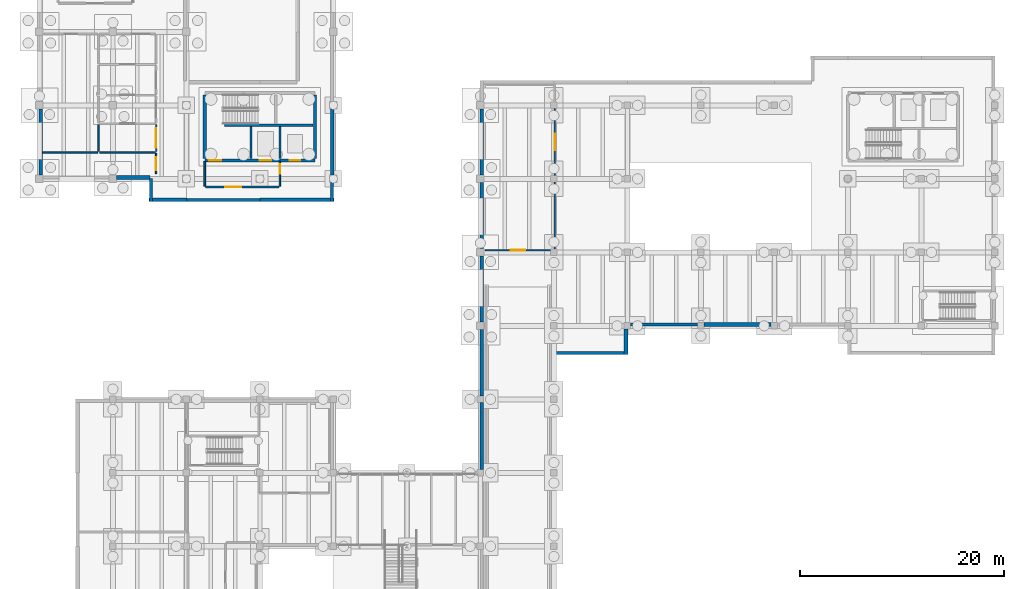
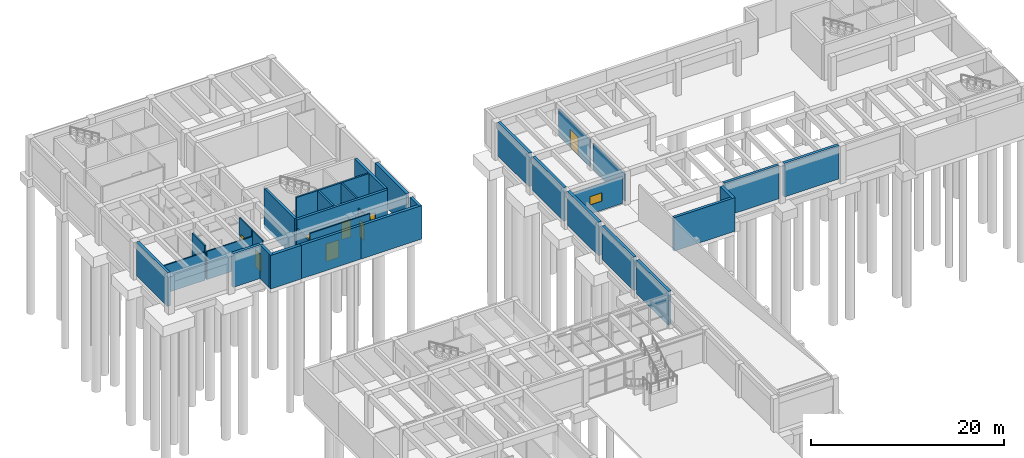
# One storey, part 18 of 28: 34 walls, 8 doors, 1 window, 9 openings.
"""IFC4 building model written with IfcOpenShell, lengths in metres."""

from ifc_helpers import new_model, si_unit, direction, frame, frame_2d, origin, place, context, subcontext, project, spatial, rectangle, extrude, material, layer, layer_set, type_object, element, fill, save


model = new_model("IFC4")

# Units and contexts
model_context = context("Model", 3, precision=1e-05, world=origin(), true_north=direction((0.0, 1.0)))
body_context = subcontext(model_context, "Body", "Model", "MODEL_VIEW")
ifc_project = project(units=[si_unit("LENGTHUNIT", "METRE"), si_unit("AREAUNIT", "SQUARE_METRE"), si_unit("VOLUMEUNIT", "CUBIC_METRE"), si_unit("PLANEANGLEUNIT", "RADIAN"), si_unit("MASSUNIT", "GRAM", prefix="KILO")], contexts=[model_context])

# Site, building, storey
site_placement = place(None, origin())
site = spatial("IfcSite", under=ifc_project, at=site_placement, CompositionType="ELEMENT")
building_placement = place(site_placement, origin())
building = spatial("IfcBuilding", under=site, at=building_placement, Name="Bramvelor Terrace Health Centre", CompositionType="ELEMENT")
storey_placement = place(building_placement, frame((0.0, 0.0, -4.5)))
storey = spatial("IfcBuildingStorey", under=building, at=storey_placement, Name="B1", CompositionType="ELEMENT", Elevation=-4.5)

# Wall, opening, window
ifc_material_1 = material(Name="Acoustic clinical partition board", Category="gypsum")
ifc_layer_1 = layer(ifc_material_1, 0.110107421875)
ifc_layer_set_1 = layer_set([ifc_layer_1], Name="Acoustic clinical partition board")
wall_type_1 = type_object("IfcWallType", Name="WL-CLN-110", PredefinedType="PARTITIONING", material=ifc_layer_set_1)
wall_1_placement = place(storey_placement, frame((50.06005859375, 79.39990234375, 0.0), z_axis=(0.0, 0.0, 1.0), x_axis=(-1.0, 0.0, 0.0)))
wall_1 = element("IfcWall", 1, at=wall_1_placement, inside=storey, type_object=wall_type_1, Name="B1 Interior Partition 45", PredefinedType="PARTITIONING", context=body_context, shape_type="SweptSolid", body=[
    extrude(rectangle(XDim=6.3701171875, YDim=0.110107421875, at=frame_2d((3.18505859375, 0.0))), origin(), (0.0, 0.0, 1.0), 3.39990234375),
])
opening_1_placement = place(wall_1_placement, frame((2.485107421875, 0.0, 1.14990234375)))
opening_1 = element("IfcOpeningElement", 2, at=opening_1_placement, cuts=wall_1, Name="Opening IWN-1", PredefinedType="OPENING", context=body_context, shape_type="SweptSolid", body=[
    extrude(rectangle(XDim=1.39990234375, YDim=1.050048828125, at=frame_2d((0.699951171875, 0.52490234375))), frame((0.0, 0.06494140625, 0.0), z_axis=(0.0, -1.0, 0.0), x_axis=(1.0, 0.0, 0.0)), (0.0, 0.0, 1.0), 0.130126953125),
])
ifc_material_2 = material(Name="Acoustic laminated observation glass", Category="glass")
window_type = type_object("IfcWindowType", Name="WIN-INT-OBS140", PartitioningType="SINGLE_PANEL", PredefinedType="WINDOW", material=ifc_material_2)
window_placement = place(opening_1_placement, origin())
window = element("IfcWindow", 3, at=window_placement, inside=storey, type_object=window_type, Name="B1 Clinical Observation Window 4", OverallHeight=1.050048828125, OverallWidth=1.39990234375, PartitioningType="SINGLE_PANEL", PredefinedType="WINDOW", context=body_context, shape_type="SweptSolid", body=[
    extrude(rectangle(XDim=1.39990234375, YDim=1.050048828125, at=frame_2d((0.699951171875, 0.52490234375))), frame((0.0, 0.030029296875, 0.0), z_axis=(0.0, -1.0, 0.0), x_axis=(1.0, 0.0, 0.0)), (0.0, 0.0, 1.0), 0.06005859375),
])
fill(opening_1, window)

# Wall, opening, door
ifc_material_3 = material(Name="Fire-rated gypsum and mineral wool", Category="gypsum")
ifc_layer_2 = layer(ifc_material_3, 0.139892578125)
ifc_layer_set_2 = layer_set([ifc_layer_2], Name="Fire-rated gypsum and mineral wool")
wall_type_2 = type_object("IfcWallType", Name="WL-COR-140", PredefinedType="PARTITIONING", material=ifc_layer_set_2)
wall_2_placement = place(storey_placement, frame((50.489990234375, 93.260009765625, 0.0), z_axis=(0.0, 0.0, 1.0), x_axis=(0.0, -1.0, 0.0)))
wall_2 = element("IfcWall", 4, at=wall_2_placement, inside=storey, type_object=wall_type_2, Name="B1 Interior Partition 43", PredefinedType="PARTITIONING", context=body_context, shape_type="SweptSolid", body=[
    extrude(rectangle(XDim=6.52001953125, YDim=0.139892578125, at=frame_2d((3.260009765625, 0.0))), origin(), (0.0, 0.0, 1.0), 3.39990234375),
])
opening_2_placement = place(wall_2_placement, frame((2.43994140625, 0.0, 0.0)))
opening_2 = element("IfcOpeningElement", 5, at=opening_2_placement, cuts=wall_2, Name="Opening FD-09", PredefinedType="OPENING", context=body_context, shape_type="SweptSolid", body=[
    extrude(rectangle(XDim=1.639892578125, YDim=2.239990234375, at=frame_2d((0.81982421875, 1.1201171875))), frame((0.0, 0.079833984375, 0.0), z_axis=(0.0, -1.0, 0.0), x_axis=(1.0, 0.0, 0.0)), (0.0, 0.0, 1.0), 0.159912109375),
])
ifc_material_4 = material(Name="Fire-rated steel and vision panel", Category="steel")
door_type_1 = type_object("IfcDoorType", Name="DR-FD60-164", OperationType="DOUBLE_DOOR_SINGLE_SWING", PredefinedType="DOOR", material=ifc_material_4)
door_1_placement = place(opening_2_placement, origin())
door_1 = element("IfcDoor", 6, at=door_1_placement, inside=storey, type_object=door_type_1, Name="B1 Ambulance Decontamination Bay Fire Door", OperationType="DOUBLE_DOOR_SINGLE_SWING", OverallHeight=2.239990234375, OverallWidth=1.639892578125, PredefinedType="DOOR", context=body_context, shape_type="SweptSolid", body=[
    extrude(rectangle(XDim=1.639892578125, YDim=2.239990234375, at=frame_2d((0.81982421875, 1.1201171875))), frame((0.0, 0.02490234375, 0.0), z_axis=(0.0, -1.0, 0.0), x_axis=(1.0, 0.0, 0.0)), (0.0, 0.0, 1.0), 0.050048828125),
])
fill(opening_2, door_1)

# Walls
wall_3_placement = place(storey_placement, frame((50.489990234375, 86.06005859375, 0.0), z_axis=(0.0, 0.0, 1.0), x_axis=(0.0, -1.0, 0.0)))
element("IfcWall", 7, at=wall_3_placement, inside=storey, type_object=wall_type_2, Name="B1 Interior Partition 44", PredefinedType="PARTITIONING", context=body_context, shape_type="SweptSolid", body=[
    extrude(rectangle(XDim=6.52001953125, YDim=0.139892578125, at=frame_2d((3.260009765625, 0.0))), origin(), (0.0, 0.0, 1.0), 3.39990234375),
])
ifc_material_5 = material(Name="Concrete C40/50", Category="concrete")
ifc_layer_3 = layer(ifc_material_5, 0.199951171875)
ifc_layer_set_3 = layer_set([ifc_layer_3], Name="Concrete C40/50")
wall_type_3 = type_object("IfcWallType", Name="WL-CORE-200", PredefinedType="SHEAR", material=ifc_layer_set_3)
wall_4_placement = place(storey_placement, frame((18.14990234375, 91.64990234375, -0.5), z_axis=(0.0, 0.0, 1.0), x_axis=(1.0, 0.0, 0.0)))
element("IfcWall", 8, at=wall_4_placement, inside=storey, type_object=wall_type_3, Name="C2 B1 Core Shear Wall", PredefinedType="SHEAR", context=body_context, shape_type="SweptSolid", body=[
    extrude(rectangle(XDim=8.670166015625, YDim=0.199951171875, at=frame_2d((4.3349609375, 0.0))), origin(), (0.0, 0.0, 1.0), 5.0),
])
for number, where, z_axis, x_axis, name in (
    (9, (20.75, 88.3798828125, -0.5), (0.0, 0.0, 1.0), (0.0, 1.0, 0.0), "C2 B1 Core Shear Wall"),
    (10, (23.550048828125, 88.3798828125, -0.5), (0.0, 0.0, 1.0), (0.0, 1.0, 0.0), "C2 B1 Lift Divider Wall"),
):
    element("IfcWall", number, at=place(storey_placement, frame(where, z_axis=z_axis, x_axis=x_axis)), inside=storey, type_object=wall_type_3, Name=name, PredefinedType="SHEAR", context=body_context, shape_type="SweptSolid", body=[
        extrude(rectangle(XDim=3.150146484375, YDim=0.199951171875, at=frame_2d((1.5751953125, 0.0))), origin(), (0.0, 0.0, 1.0), 5.0),
    ])

# Wall, openings, doors
ifc_material_6 = material(Name="Concrete C40/50", Category="concrete")
ifc_layer_4 = layer(ifc_material_6, 0.300048828125)
ifc_layer_set_4 = layer_set([ifc_layer_4], Name="Concrete C40/50")
wall_type_4 = type_object("IfcWallType", Name="WL-CORE-300", PredefinedType="SHEAR", material=ifc_layer_set_4)
wall_5_placement = place(storey_placement, frame((16.199951171875, 88.199951171875, -0.5), z_axis=(0.0, 0.0, 1.0), x_axis=(1.0, 0.0, 0.0)))
wall_5 = element("IfcWall", 11, at=wall_5_placement, inside=storey, type_object=wall_type_4, Name="C2 B1 Core Shear Wall", PredefinedType="SHEAR", context=body_context, shape_type="SweptSolid", body=[
    extrude(rectangle(XDim=10.800048828125, YDim=0.300048828125, at=frame_2d((5.39990234375, 0.0))), origin(), (0.0, 0.0, 1.0), 5.0),
])
opening_3_placement = place(wall_5_placement, frame((0.449951171875, 0.0, 0.5)))
opening_3 = element("IfcOpeningElement", 12, at=opening_3_placement, cuts=wall_5, Name="Opening FD-02", PredefinedType="OPENING", context=body_context, shape_type="SweptSolid", body=[
    extrude(rectangle(XDim=1.179931640625, YDim=2.159912109375, at=frame_2d((0.58984375, 1.080078125))), frame((0.0, 0.159912109375, 0.0), z_axis=(0.0, -1.0, 0.0), x_axis=(1.0, 0.0, 0.0)), (0.0, 0.0, 1.0), 0.320068359375),
])
opening_4_placement = place(wall_5_placement, frame((5.375, 0.0, 0.5)))
opening_4 = element("IfcOpeningElement", 13, at=opening_4_placement, cuts=wall_5, Name="Opening LD-1", PredefinedType="OPENING", context=body_context, shape_type="SweptSolid", body=[
    extrude(rectangle(XDim=1.14990234375, YDim=2.14990234375, at=frame_2d((0.574951171875, 1.074951171875))), frame((0.0, 0.159912109375, 0.0), z_axis=(0.0, -1.0, 0.0), x_axis=(1.0, 0.0, 0.0)), (0.0, 0.0, 1.0), 0.320068359375),
])
opening_5_placement = place(wall_5_placement, frame((8.340087890625, 0.0, 0.5)))
opening_5 = element("IfcOpeningElement", 14, at=opening_5_placement, cuts=wall_5, Name="Opening LD-2", PredefinedType="OPENING", context=body_context, shape_type="SweptSolid", body=[
    extrude(rectangle(XDim=1.02001953125, YDim=2.1201171875, at=frame_2d((0.510009765625, 1.06005859375))), frame((0.0, 0.159912109375, 0.0), z_axis=(0.0, -1.0, 0.0), x_axis=(1.0, 0.0, 0.0)), (0.0, 0.0, 1.0), 0.320068359375),
])
ifc_material_7 = material(Name="Fire-rated steel and vision panel", Category="steel")
door_type_2 = type_object("IfcDoorType", Name="DR-FD90-118", OperationType="NOTDEFINED", PredefinedType="DOOR", material=ifc_material_7)
door_2_placement = place(opening_3_placement, origin())
door_2 = element("IfcDoor", 15, at=door_2_placement, inside=storey, type_object=door_type_2, Name="C2 B1 Core Stair Fire Door", OperationType="SINGLE_SWING_LEFT", OverallHeight=2.159912109375, OverallWidth=1.179931640625, PredefinedType="DOOR", context=body_context, shape_type="SweptSolid", body=[
    extrude(rectangle(XDim=1.179931640625, YDim=2.159912109375, at=frame_2d((0.58984375, 1.080078125))), frame((0.0, 0.02490234375, 0.0), z_axis=(0.0, -1.0, 0.0), x_axis=(1.0, 0.0, 0.0)), (0.0, 0.0, 1.0), 0.050048828125),
])
fill(opening_3, door_2)
ifc_material_8 = material(Name="Brushed stainless steel 316", Category="steel")
door_type_3 = type_object("IfcDoorType", Name="DR-LIFT-FF115", OperationType="DOUBLE_DOOR_SLIDING", PredefinedType="DOOR", material=ifc_material_8)
door_3_placement = place(opening_4_placement, origin())
door_3 = element("IfcDoor", 16, at=door_3_placement, inside=storey, type_object=door_type_3, Name="Lift LF-02 B1 Sliding Landing Door", OperationType="DOUBLE_DOOR_SLIDING", OverallHeight=2.14990234375, OverallWidth=1.14990234375, PredefinedType="DOOR", context=body_context, shape_type="SweptSolid", body=[
    extrude(rectangle(XDim=1.14990234375, YDim=2.14990234375, at=frame_2d((0.574951171875, 1.074951171875))), frame((0.0, 0.02490234375, 0.0), z_axis=(0.0, -1.0, 0.0), x_axis=(1.0, 0.0, 0.0)), (0.0, 0.0, 1.0), 0.050048828125),
])
fill(opening_4, door_3)
ifc_material_9 = material(Name="Brushed stainless steel 316", Category="steel")
door_type_4 = type_object("IfcDoorType", Name="DR-LIFT-PS102", OperationType="SLIDING_TO_LEFT", PredefinedType="DOOR", material=ifc_material_9)
door_4_placement = place(opening_5_placement, origin())
door_4 = element("IfcDoor", 17, at=door_4_placement, inside=storey, type_object=door_type_4, Name="Lift LP-02 B1 Sliding Landing Door", OperationType="SLIDING_TO_LEFT", OverallHeight=2.1201171875, OverallWidth=1.02001953125, PredefinedType="DOOR", context=body_context, shape_type="SweptSolid", body=[
    extrude(rectangle(XDim=1.02001953125, YDim=2.1201171875, at=frame_2d((0.510009765625, 1.06005859375))), frame((0.0, 0.02490234375, 0.0), z_axis=(0.0, -1.0, 0.0), x_axis=(1.0, 0.0, 0.0)), (0.0, 0.0, 1.0), 0.050048828125),
])
fill(opening_5, door_4)

# Walls
for number, where, z_axis, x_axis, name in (
    (18, (16.199951171875, 88.3798828125, -0.5), (0.0, 0.0, 1.0), (0.0, 1.0, 0.0), "C2 B1 Core Shear Wall"),
    (19, (27.0, 88.3798828125, -0.5), (0.0, 0.0, 1.0), (0.0, 1.0, 0.0), "C2 B1 Core Shear Wall"),
):
    element("IfcWall", number, at=place(storey_placement, frame(where, z_axis=z_axis, x_axis=x_axis)), inside=storey, type_object=wall_type_4, Name=name, PredefinedType="SHEAR", context=body_context, shape_type="SweptSolid", body=[
        extrude(rectangle(XDim=6.240234375, YDim=0.300048828125, at=frame_2d((3.1201171875, 0.0))), origin(), (0.0, 0.0, 1.0), 5.0),
    ])
ifc_material_10 = material(Name="Fire-rated gypsum and mineral wool", Category="gypsum")
ifc_layer_5 = layer(ifc_material_10, 0.14990234375)
ifc_layer_set_5 = layer_set([ifc_layer_5], Name="Fire-rated gypsum and mineral wool")
wall_type_5 = type_object("IfcWallType", Name="WL-FIR-150", PredefinedType="PARTITIONING", material=ifc_layer_set_5)
wall_6_placement = place(storey_placement, frame((16.199951171875, 85.68994140625, 0.0), z_axis=(0.0, 0.0, 1.0), x_axis=(0.0, 1.0, 0.0)))
element("IfcWall", 20, at=wall_6_placement, inside=storey, type_object=wall_type_5, Name="B1 Interior Partition 4", PredefinedType="PARTITIONING", context=body_context, shape_type="SweptSolid", body=[
    extrude(rectangle(XDim=2.4150390625, YDim=0.14990234375, at=frame_2d((1.20751953125, 0.0))), origin(), (0.0, 0.0, 1.0), 3.39990234375),
])

# Wall, opening, door
wall_7_placement = place(storey_placement, frame((23.550048828125, 88.10498046875, 0.0), z_axis=(0.0, 0.0, 1.0), x_axis=(0.0, -1.0, 0.0)))
wall_7 = element("IfcWall", 21, at=wall_7_placement, inside=storey, type_object=wall_type_5, Name="B1 Interior Partition 5", PredefinedType="PARTITIONING", context=body_context, shape_type="SweptSolid", body=[
    extrude(rectangle(XDim=2.4150390625, YDim=0.14990234375, at=frame_2d((1.20751953125, 0.0))), origin(), (0.0, 0.0, 1.0), 3.39990234375),
])
opening_6_placement = place(wall_7_placement, frame((0.28759765625, 0.0, 0.0)))
opening_6 = element("IfcOpeningElement", 22, at=opening_6_placement, cuts=wall_7, Name="Opening FD-08", PredefinedType="OPENING", context=body_context, shape_type="SweptSolid", body=[
    extrude(rectangle(XDim=0.93994140625, YDim=2.10009765625, at=frame_2d((0.469970703125, 1.050048828125))), frame((0.0, 0.0849609375, 0.0), z_axis=(0.0, -1.0, 0.0), x_axis=(1.0, 0.0, 0.0)), (0.0, 0.0, 1.0), 0.169921875),
])
ifc_material_11 = material(Name="Fire-rated steel and vision panel", Category="steel")
door_type_5 = type_object("IfcDoorType", Name="DR-FD60-094", OperationType="NOTDEFINED", PredefinedType="DOOR", material=ifc_material_11)
door_5_placement = place(opening_6_placement, origin())
door_5 = element("IfcDoor", 23, at=door_5_placement, inside=storey, type_object=door_type_5, Name="B1 Fire Compartment Lobby Door 3", OperationType="SINGLE_SWING_LEFT", OverallHeight=2.10009765625, OverallWidth=0.93994140625, PredefinedType="DOOR", context=body_context, shape_type="SweptSolid", body=[
    extrude(rectangle(XDim=0.93994140625, YDim=2.10009765625, at=frame_2d((0.469970703125, 1.050048828125))), frame((0.0, 0.02490234375, 0.0), z_axis=(0.0, -1.0, 0.0), x_axis=(1.0, 0.0, 0.0)), (0.0, 0.0, 1.0), 0.050048828125),
])
fill(opening_6, door_5)

wall_8_placement = place(storey_placement, frame((23.4599609375, 85.60009765625, 0.0), z_axis=(0.0, 0.0, 1.0), x_axis=(-1.0, 0.0, 0.0)))
wall_8 = element("IfcWall", 24, at=wall_8_placement, inside=storey, type_object=wall_type_5, Name="B1 Interior Partition 6", PredefinedType="PARTITIONING", context=body_context, shape_type="SweptSolid", body=[
    extrude(rectangle(XDim=7.169921875, YDim=0.14990234375, at=frame_2d((3.5849609375, 0.0))), origin(), (0.0, 0.0, 1.0), 4.27001953125),
])
opening_7_placement = place(wall_8_placement, frame((3.705078125, 0.0, 0.0)))
opening_7 = element("IfcOpeningElement", 25, at=opening_7_placement, cuts=wall_8, Name="Opening FD-03", PredefinedType="OPENING", context=body_context, shape_type="SweptSolid", body=[
    extrude(rectangle(XDim=1.56005859375, YDim=2.219970703125, at=frame_2d((0.780029296875, 1.10986328125))), frame((0.0, 0.0849609375, 0.0), z_axis=(0.0, -1.0, 0.0), x_axis=(1.0, 0.0, 0.0)), (0.0, 0.0, 1.0), 0.169921875),
])
ifc_material_12 = material(Name="Fire-rated steel and vision panel", Category="steel")
door_type_6 = type_object("IfcDoorType", Name="DR-FD90-156", OperationType="DOUBLE_DOOR_SINGLE_SWING", PredefinedType="DOOR", material=ifc_material_12)
door_6_placement = place(opening_7_placement, origin())
door_6 = element("IfcDoor", 26, at=door_6_placement, inside=storey, type_object=door_type_6, Name="B1 Fire Compartment Lobby Door 4", OperationType="DOUBLE_DOOR_SINGLE_SWING", OverallHeight=2.219970703125, OverallWidth=1.56005859375, PredefinedType="DOOR", context=body_context, shape_type="SweptSolid", body=[
    extrude(rectangle(XDim=1.56005859375, YDim=2.219970703125, at=frame_2d((0.780029296875, 1.10986328125))), frame((0.0, 0.02490234375, 0.0), z_axis=(0.0, -1.0, 0.0), x_axis=(1.0, 0.0, 0.0)), (0.0, 0.0, 1.0), 0.050048828125),
])
fill(opening_7, door_6)

# Walls
wall_9_placement = place(storey_placement, frame((11.35009765625, 89.0, 0.0), z_axis=(0.0, 0.0, 1.0), x_axis=(-1.0, 0.0, 0.0)))
element("IfcWall", 27, at=wall_9_placement, inside=storey, type_object=wall_type_5, Name="B1 Interior Partition 19", PredefinedType="PARTITIONING", context=body_context, shape_type="SweptSolid", body=[
    extrude(rectangle(XDim=5.460205078125, YDim=0.14990234375, at=frame_2d((2.72998046875, 0.0))), origin(), (0.0, 0.0, 1.0), 3.550048828125),
])
wall_10_placement = place(storey_placement, frame((5.800048828125, 89.090087890625, 0.0), z_axis=(0.0, 0.0, 1.0), x_axis=(0.0, 1.0, 0.0)))
element("IfcWall", 28, at=wall_10_placement, inside=storey, type_object=wall_type_5, Name="B1 Interior Partition 20", PredefinedType="PARTITIONING", context=body_context, shape_type="SweptSolid", body=[
    extrude(rectangle(XDim=2.60986328125, YDim=0.14990234375, at=frame_2d((1.304931640625, 0.0))), origin(), (0.0, 0.0, 1.0), 4.27001953125),
])

# Wall, opening, door
wall_11_placement = place(storey_placement, frame((11.43994140625, 88.89990234375, 0.0), z_axis=(0.0, 0.0, 1.0), x_axis=(0.0, -1.0, 0.0)))
wall_11 = element("IfcWall", 29, at=wall_11_placement, inside=storey, type_object=wall_type_5, Name="B1 Interior Partition 21", PredefinedType="PARTITIONING", context=body_context, shape_type="SweptSolid", body=[
    extrude(rectangle(XDim=2.010009765625, YDim=0.14990234375, at=frame_2d((1.0048828125, 0.0))), origin(), (0.0, 0.0, 1.0), 4.27001953125),
])
opening_8_placement = place(wall_11_placement, frame((0.364990234375, 0.0, 0.0)))
opening_8 = element("IfcOpeningElement", 30, at=opening_8_placement, cuts=wall_11, Name="Opening FD-01", PredefinedType="OPENING", context=body_context, shape_type="SweptSolid", body=[
    extrude(rectangle(XDim=1.280029296875, YDim=2.179931640625, at=frame_2d((0.64013671875, 1.08984375))), frame((0.0, 0.0849609375, 0.0), z_axis=(0.0, -1.0, 0.0), x_axis=(1.0, 0.0, 0.0)), (0.0, 0.0, 1.0), 0.169921875),
])
ifc_material_13 = material(Name="Fire-rated steel and vision panel", Category="steel")
door_type_7 = type_object("IfcDoorType", Name="DR-FD90-128", OperationType="NOTDEFINED", PredefinedType="DOOR", material=ifc_material_13)
door_7_placement = place(opening_8_placement, origin())
door_7 = element("IfcDoor", 31, at=door_7_placement, inside=storey, type_object=door_type_7, Name="B1 Fire and Domestic Water Pump Plant Room Fire Door", OperationType="SINGLE_SWING_RIGHT", OverallHeight=2.179931640625, OverallWidth=1.280029296875, PredefinedType="DOOR", context=body_context, shape_type="SweptSolid", body=[
    extrude(rectangle(XDim=1.280029296875, YDim=2.179931640625, at=frame_2d((0.64013671875, 1.08984375))), frame((0.0, 0.02490234375, 0.0), z_axis=(0.0, -1.0, 0.0), x_axis=(1.0, 0.0, 0.0)), (0.0, 0.0, 1.0), 0.050048828125),
])
fill(opening_8, door_7)

# Wall
wall_12_placement = place(storey_placement, frame((5.699951171875, 89.0, 0.0), z_axis=(0.0, 0.0, 1.0), x_axis=(-1.0, 0.0, 0.0)))
element("IfcWall", 32, at=wall_12_placement, inside=storey, type_object=wall_type_5, Name="B1 Interior Partition 23", PredefinedType="PARTITIONING", context=body_context, shape_type="SweptSolid", body=[
    extrude(rectangle(XDim=5.385009765625, YDim=0.14990234375, at=frame_2d((2.6923828125, 0.0))), origin(), (0.0, 0.0, 1.0), 3.550048828125),
])

# Wall, opening, door
ifc_material_14 = material(Name="Moisture-resistant service chase board", Category="gypsum")
ifc_layer_6 = layer(ifc_material_14, 0.159912109375)
ifc_layer_set_6 = layer_set([ifc_layer_6], Name="Moisture-resistant service chase board")
wall_type_6 = type_object("IfcWallType", Name="WL-PLM-160", PredefinedType="PLUMBINGWALL", material=ifc_layer_set_6)
wall_13_placement = place(storey_placement, frame((11.43994140625, 91.699951171875, 0.0), z_axis=(0.0, 0.0, 1.0), x_axis=(0.0, -1.0, 0.0)))
wall_13 = element("IfcWall", 33, at=wall_13_placement, inside=storey, type_object=wall_type_6, Name="B1 Interior Partition 18", PredefinedType="PLUMBINGWALL", context=body_context, shape_type="SweptSolid", body=[
    extrude(rectangle(XDim=2.60986328125, YDim=0.159912109375, at=frame_2d((1.304931640625, 0.0))), origin(), (0.0, 0.0, 1.0), 4.27001953125),
])
opening_9_placement = place(wall_13_placement, frame((0.344970703125, 0.0, 0.0)))
opening_9 = element("IfcOpeningElement", 34, at=opening_9_placement, cuts=wall_13, Name="Opening ID-DB1", PredefinedType="OPENING", context=body_context, shape_type="SweptSolid", body=[
    extrude(rectangle(XDim=1.919921875, YDim=2.360107421875, at=frame_2d((0.9599609375, 1.18017578125))), frame((0.0, 0.08984375, 0.0), z_axis=(0.0, -1.0, 0.0), x_axis=(1.0, 0.0, 0.0)), (0.0, 0.0, 1.0), 0.179931640625),
])
ifc_material_15 = material(Name="Solid-core acoustic timber laminate", Category="wood")
door_type_8 = type_object("IfcDoorType", Name="DR-DBL-192", OperationType="DOUBLE_DOOR_SINGLE_SWING", PredefinedType="DOOR", material=ifc_material_15)
door_8_placement = place(opening_9_placement, origin())
door_8 = element("IfcDoor", 35, at=door_8_placement, inside=storey, type_object=door_type_8, Name="B1 Public Female WC Clinical Door", OperationType="DOUBLE_DOOR_SINGLE_SWING", OverallHeight=2.360107421875, OverallWidth=1.919921875, PredefinedType="DOOR", context=body_context, shape_type="SweptSolid", body=[
    extrude(rectangle(XDim=1.919921875, YDim=2.360107421875, at=frame_2d((0.9599609375, 1.18017578125))), frame((0.0, 0.02490234375, 0.0), z_axis=(0.0, -1.0, 0.0), x_axis=(1.0, 0.0, 0.0)), (0.0, 0.0, 1.0), 0.050048828125),
])
fill(opening_9, door_8)

# Walls
ifc_material_16 = material(Name="Concrete C40/50", Category="concrete")
ifc_layer_7 = layer(ifc_material_16, 0.320068359375)
ifc_layer_set_7 = layer_set([ifc_layer_7], Name="Concrete C40/50")
wall_type_7 = type_object("IfcWallType", Name="WL-RET-320", PredefinedType="SOLIDWALL", material=ifc_layer_set_7)
wall_14_placement = place(storey_placement, frame((43.330078125, 65.1201171875, 0.0), z_axis=(0.0, 0.0, 1.0), x_axis=(0.0, 1.0, 0.0)))
element("IfcWall", 36, at=wall_14_placement, inside=storey, type_object=wall_type_7, Name="B1 Perimeter Basement Retaining Wall 9", PredefinedType="SOLIDWALL", context=body_context, shape_type="SweptSolid", body=[
    extrude(rectangle(XDim=6.509765625, YDim=0.320068359375, at=frame_2d((3.2548828125, 0.0))), origin(), (0.0, 0.0, 1.0), 4.25),
])
wall_15_placement = place(storey_placement, frame((43.330078125, 79.570068359375, 0.0), z_axis=(0.0, 0.0, 1.0), x_axis=(0.0, 1.0, 0.0)))
element("IfcWall", 37, at=wall_15_placement, inside=storey, type_object=wall_type_7, Name="B1 Perimeter Basement Retaining Wall 11", PredefinedType="SOLIDWALL", context=body_context, shape_type="SweptSolid", body=[
    extrude(rectangle(XDim=6.4599609375, YDim=0.320068359375, at=frame_2d((3.22998046875, 0.0))), origin(), (0.0, 0.0, 1.0), 4.25),
])
wall_16_placement = place(storey_placement, frame((64.47998046875, 72.1298828125, 0.0), z_axis=(0.0, 0.0, 1.0), x_axis=(-1.0, 0.0, 0.0)))
element("IfcWall", 38, at=wall_16_placement, inside=storey, type_object=wall_type_7, Name="B1 Perimeter Basement Retaining Wall 33", PredefinedType="SOLIDWALL", context=body_context, shape_type="SweptSolid", body=[
    extrude(rectangle(XDim=6.56005859375, YDim=0.320068359375, at=frame_2d((3.280029296875, 0.0))), origin(), (0.0, 0.0, 1.0), 4.25),
])
wall_17_placement = place(storey_placement, frame((57.639892578125, 69.330078125, 0.0), z_axis=(0.0, 0.0, 1.0), x_axis=(-1.0, 0.0, 0.0)))
element("IfcWall", 39, at=wall_17_placement, inside=storey, type_object=wall_type_7, Name="B1 Perimeter Basement Retaining Wall 35", PredefinedType="SOLIDWALL", context=body_context, shape_type="SweptSolid", body=[
    extrude(rectangle(XDim=7.27978515625, YDim=0.320068359375, at=frame_2d((3.639892578125, 0.0))), origin(), (0.0, 0.0, 1.0), 4.25),
])
wall_18_placement = place(storey_placement, frame((28.669921875, 86.030029296875, 0.0), z_axis=(0.0, 0.0, 1.0), x_axis=(0.0, -1.0, 0.0)))
element("IfcWall", 40, at=wall_18_placement, inside=storey, type_object=wall_type_7, Name="B1 Perimeter Basement Retaining Wall 57", PredefinedType="SOLIDWALL", context=body_context, shape_type="SweptSolid", body=[
    extrude(rectangle(XDim=1.85009765625, YDim=0.320068359375, at=frame_2d((0.925048828125, 0.0))), origin(), (0.0, 0.0, 1.0), 4.25),
])
wall_19_placement = place(storey_placement, frame((21.60009765625, 84.330078125, 0.0), z_axis=(0.0, 0.0, 1.0), x_axis=(-1.0, 0.0, 0.0)))
element("IfcWall", 41, at=wall_19_placement, inside=storey, type_object=wall_type_7, Name="B1 Perimeter Basement Retaining Wall 59", PredefinedType="SOLIDWALL", context=body_context, shape_type="SweptSolid", body=[
    extrude(rectangle(XDim=7.239990234375, YDim=0.320068359375, at=frame_2d((3.6201171875, 0.0))), origin(), (0.0, 0.0, 1.0), 4.25),
])
wall_20_placement = place(storey_placement, frame((10.929931640625, 84.179931640625, 0.0), z_axis=(0.0, 0.0, 1.0), x_axis=(0.0, 1.0, 0.0)))
element("IfcWall", 42, at=wall_20_placement, inside=storey, type_object=wall_type_7, Name="B1 Perimeter Basement Retaining Wall 61", PredefinedType="SOLIDWALL", context=body_context, shape_type="SweptSolid", body=[
    extrude(rectangle(XDim=2.239990234375, YDim=0.320068359375, at=frame_2d((1.1201171875, 0.0))), origin(), (0.0, 0.0, 1.0), 4.25),
])
ifc_material_17 = material(Name="Concrete C40/50", Category="concrete")
ifc_layer_8 = layer(ifc_material_17, 0.35009765625)
ifc_layer_set_8 = layer_set([ifc_layer_8], Name="Concrete C40/50")
wall_type_8 = type_object("IfcWallType", Name="WL-RET-350", PredefinedType="SOLIDWALL", material=ifc_layer_set_8)
wall_21_placement = place(storey_placement, frame((43.330078125, 57.919921875, 0.0), z_axis=(0.0, 0.0, 1.0), x_axis=(0.0, 1.0, 0.0)))
element("IfcWall", 43, at=wall_21_placement, inside=storey, type_object=wall_type_8, Name="B1 Perimeter Basement Retaining Wall 8", PredefinedType="SOLIDWALL", context=body_context, shape_type="SweptSolid", body=[
    extrude(rectangle(XDim=6.56005859375, YDim=0.35009765625, at=frame_2d((3.280029296875, 0.0))), origin(), (0.0, 0.0, 1.0), 4.25),
])
for number, where, z_axis, x_axis, name in (
    (44, (43.330078125, 72.3701171875, 0.0), (0.0, 0.0, 1.0), (0.0, 1.0, 0.0), "B1 Perimeter Basement Retaining Wall 10"),
    (45, (43.330078125, 86.77001953125, 0.0), (0.0, 0.0, 1.0), (0.0, 1.0, 0.0), "B1 Perimeter Basement Retaining Wall 12"),
):
    element("IfcWall", number, at=place(storey_placement, frame(where, z_axis=z_axis, x_axis=x_axis)), inside=storey, type_object=wall_type_8, Name=name, PredefinedType="SOLIDWALL", context=body_context, shape_type="SweptSolid", body=[
        extrude(rectangle(XDim=6.4599609375, YDim=0.35009765625, at=frame_2d((3.22998046875, 0.0))), origin(), (0.0, 0.0, 1.0), 4.25),
    ])
wall_22_placement = place(storey_placement, frame((71.679931640625, 72.1298828125, 0.0), z_axis=(0.0, 0.0, 1.0), x_axis=(-1.0, 0.0, 0.0)))
element("IfcWall", 46, at=wall_22_placement, inside=storey, type_object=wall_type_8, Name="B1 Perimeter Basement Retaining Wall 32", PredefinedType="SOLIDWALL", context=body_context, shape_type="SweptSolid", body=[
    extrude(rectangle(XDim=6.559814453125, YDim=0.35009765625, at=frame_2d((3.27978515625, 0.0))), origin(), (0.0, 0.0, 1.0), 4.25),
])
wall_23_placement = place(storey_placement, frame((57.469970703125, 71.679931640625, 0.0), z_axis=(0.0, 0.0, 1.0), x_axis=(0.0, -1.0, 0.0)))
element("IfcWall", 47, at=wall_23_placement, inside=storey, type_object=wall_type_8, Name="B1 Perimeter Basement Retaining Wall 34", PredefinedType="SOLIDWALL", context=body_context, shape_type="SweptSolid", body=[
    extrude(rectangle(XDim=2.5, YDim=0.35009765625, at=frame_2d((1.25, 0.0))), origin(), (0.0, 0.0, 1.0), 4.25),
])
wall_24_placement = place(storey_placement, frame((28.669921875, 93.22998046875, 0.0), z_axis=(0.0, 0.0, 1.0), x_axis=(0.0, -1.0, 0.0)))
element("IfcWall", 48, at=wall_24_placement, inside=storey, type_object=wall_type_8, Name="B1 Perimeter Basement Retaining Wall 56", PredefinedType="SOLIDWALL", context=body_context, shape_type="SweptSolid", body=[
    extrude(rectangle(XDim=6.4599609375, YDim=0.35009765625, at=frame_2d((3.22998046875, 0.0))), origin(), (0.0, 0.0, 1.0), 4.25),
])
wall_25_placement = place(storey_placement, frame((28.840087890625, 84.330078125, 0.0), z_axis=(0.0, 0.0, 1.0), x_axis=(-1.0, 0.0, 0.0)))
element("IfcWall", 49, at=wall_25_placement, inside=storey, type_object=wall_type_8, Name="B1 Perimeter Basement Retaining Wall 58", PredefinedType="SOLIDWALL", context=body_context, shape_type="SweptSolid", body=[
    extrude(rectangle(XDim=7.239990234375, YDim=0.35009765625, at=frame_2d((3.6201171875, 0.0))), origin(), (0.0, 0.0, 1.0), 4.25),
])
wall_26_placement = place(storey_placement, frame((14.43994140625, 84.330078125, 0.0), z_axis=(0.0, 0.0, 1.0), x_axis=(-1.0, 0.0, 0.0)))
element("IfcWall", 50, at=wall_26_placement, inside=storey, type_object=wall_type_8, Name="B1 Perimeter Basement Retaining Wall 60", PredefinedType="SOLIDWALL", context=body_context, shape_type="SweptSolid", body=[
    extrude(rectangle(XDim=3.679931640625, YDim=0.35009765625, at=frame_2d((1.83984375, 0.0))), origin(), (0.0, 0.0, 1.0), 4.25),
])
wall_27_placement = place(storey_placement, frame((10.840087890625, 86.530029296875, 0.0), z_axis=(0.0, 0.0, 1.0), x_axis=(-1.0, 0.0, 0.0)))
element("IfcWall", 51, at=wall_27_placement, inside=storey, type_object=wall_type_8, Name="B1 Perimeter Basement Retaining Wall 62", PredefinedType="SOLIDWALL", context=body_context, shape_type="SweptSolid", body=[
    extrude(rectangle(XDim=3.27001953125, YDim=0.35009765625, at=frame_2d((1.635009765625, 0.0))), origin(), (0.0, 0.0, 1.0), 4.25),
])
wall_28_placement = place(storey_placement, frame((0.1298828125, 86.77001953125, 0.0), z_axis=(0.0, 0.0, 1.0), x_axis=(0.0, 1.0, 0.0)))
element("IfcWall", 52, at=wall_28_placement, inside=storey, type_object=wall_type_8, Name="B1 Perimeter Basement Retaining Wall 64", PredefinedType="SOLIDWALL", context=body_context, shape_type="SweptSolid", body=[
    extrude(rectangle(XDim=6.4599609375, YDim=0.35009765625, at=frame_2d((3.22998046875, 0.0))), origin(), (0.0, 0.0, 1.0), 4.25),
])

save(model, "model.ifc")
